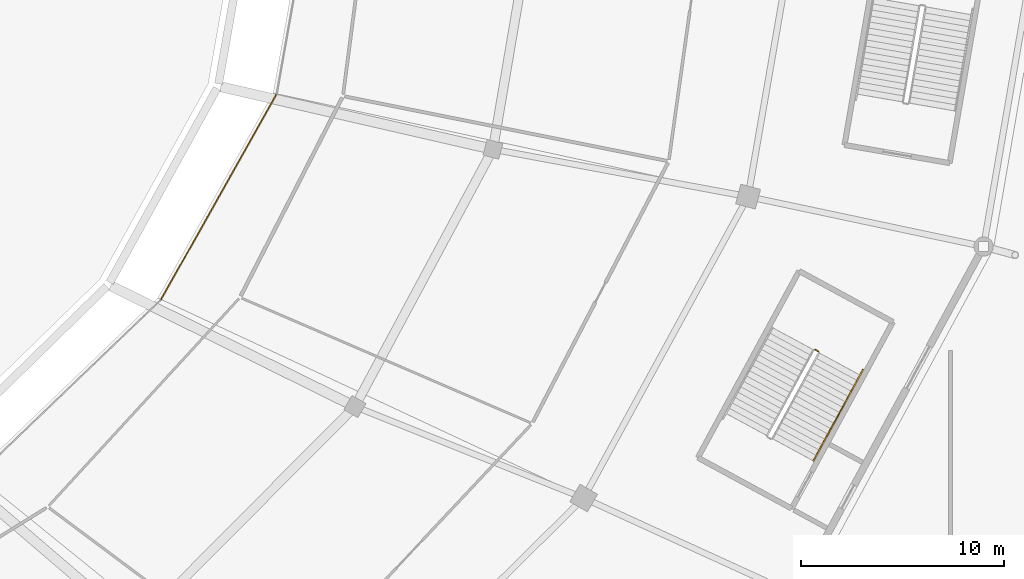
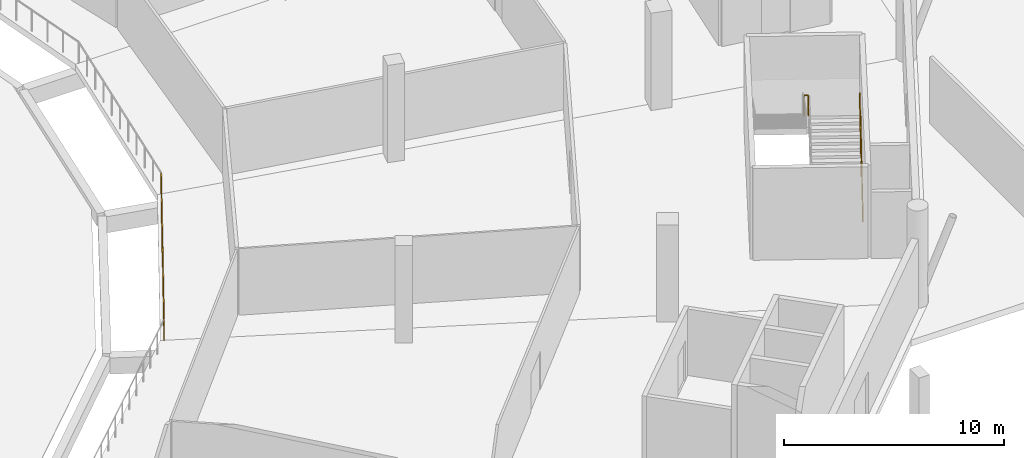
# One storey, part 73 of 82: 3 railings.
"""IFC4 building model written with IfcOpenShell, lengths in metres."""

from ifc_helpers import new_model, si_unit, direction, frame, origin, origin_2d, place, context, subcontext, project, spatial, rectangle, extrude, material, type_object, element, save


model = new_model("IFC4")

# Units and contexts
model_context = context("Model", 3, precision=1e-05, world=origin(), true_north=direction((0.0, 1.0)))
body_context = subcontext(model_context, "Body", "Model", "MODEL_VIEW")
ifc_project = project(units=[si_unit("LENGTHUNIT", "METRE"), si_unit("AREAUNIT", "SQUARE_METRE"), si_unit("VOLUMEUNIT", "CUBIC_METRE"), si_unit("PLANEANGLEUNIT", "RADIAN"), si_unit("MASSUNIT", "GRAM", prefix="KILO")], contexts=[model_context])

# Site, building, storey
site_placement = place(None, origin())
site = spatial("IfcSite", under=ifc_project, at=site_placement, CompositionType="ELEMENT")
building_placement = place(site_placement, origin())
building = spatial("IfcBuilding", under=site, at=building_placement, Name="Zlatoyarsky Gate Stadium", CompositionType="ELEMENT")
storey_placement = place(building_placement, origin())
storey = spatial("IfcBuildingStorey", under=building, at=storey_placement, Name="L00", CompositionType="ELEMENT", Elevation=0.0)

# Railings
ifc_material_1 = material(Name="Powder-coated steel tubular guardrail", Category="steel")
railing_type_1 = type_object("IfcRailingType", Name="CONCOURSE SLAB EDGE GUARDRAIL 1200", PredefinedType="GUARDRAIL", material=ifc_material_1)
railing_1_placement = place(storey_placement, frame((160.34619140625, 59.010009765625, 0.0)))
element("IfcRailing", 1, at=railing_1_placement, inside=storey, type_object=railing_type_1, Name="L00 inner bowl edge guardrail 22", PredefinedType="GUARDRAIL", context=body_context, shape_type="SweptSolid", body=[
    extrude(rectangle(XDim=0.048095703125, YDim=0.048095703125, at=origin_2d()), frame((0.0, 0.0, 1.17578125), z_axis=(0.490078606965, 0.871678242814, 0.0), x_axis=(-0.871678242814, 0.490078606965, 0.0)), (0.0, 0.0, 1.0), 11.615234375),
    extrude(rectangle(XDim=0.0419921875, YDim=0.0419921875, at=origin_2d()), origin(), (0.0, 0.0, 1.0), 1.15185546875),
    extrude(rectangle(XDim=0.0419921875, YDim=0.0419921875, at=origin_2d()), frame((0.5693359375, 1.012451171875, 0.0)), (0.0, 0.0, 1.0), 1.15185546875),
    extrude(rectangle(XDim=0.0419921875, YDim=0.0419921875, at=origin_2d()), frame((1.138427734375, 2.02490234375, 0.0)), (0.0, 0.0, 1.0), 1.15185546875),
    extrude(rectangle(XDim=0.0419921875, YDim=0.0419921875, at=origin_2d()), frame((1.707763671875, 3.037353515625, 0.0)), (0.0, 0.0, 1.0), 1.15185546875),
    extrude(rectangle(XDim=0.0419921875, YDim=0.0419921875, at=origin_2d()), frame((2.27685546875, 4.0498046875, 0.0)), (0.0, 0.0, 1.0), 1.15185546875),
    extrude(rectangle(XDim=0.0419921875, YDim=0.0419921875, at=origin_2d()), frame((2.84619140625, 5.0625, 0.0)), (0.0, 0.0, 1.0), 1.15185546875),
    extrude(rectangle(XDim=0.0419921875, YDim=0.0419921875, at=origin_2d()), frame((3.41552734375, 6.074951171875, 0.0)), (0.0, 0.0, 1.0), 1.15185546875),
    extrude(rectangle(XDim=0.0419921875, YDim=0.0419921875, at=origin_2d()), frame((3.984619140625, 7.08740234375, 0.0)), (0.0, 0.0, 1.0), 1.15185546875),
    extrude(rectangle(XDim=0.0419921875, YDim=0.0419921875, at=origin_2d()), frame((4.553955078125, 8.099853515625, 0.0)), (0.0, 0.0, 1.0), 1.15185546875),
    extrude(rectangle(XDim=0.0419921875, YDim=0.0419921875, at=origin_2d()), frame((5.123046875, 9.1123046875, 0.0)), (0.0, 0.0, 1.0), 1.15185546875),
    extrude(rectangle(XDim=0.0419921875, YDim=0.0419921875, at=origin_2d()), frame((5.6923828125, 10.124755859375, 0.0)), (0.0, 0.0, 1.0), 1.15185546875),
])
ifc_material_2 = material(Name="Powder-coated steel stair guardrail", Category="steel")
railing_type_2 = type_object("IfcRailingType", Name="PAINTED STEEL STAIR WELL GUARDRAIL 1150", PredefinedType="GUARDRAIL", material=ifc_material_2)
railing_2_placement = place(storey_placement, frame((192.706298828125, 56.461669921875, 2.699951171875)))
element("IfcRailing", 2, at=railing_2_placement, inside=storey, type_object=railing_type_2, Name="ST-12 L00 stair guard 2", PredefinedType="GUARDRAIL", context=body_context, shape_type="SweptSolid", body=[
    extrude(rectangle(XDim=0.048095703125, YDim=0.048095703125, at=origin_2d()), frame((0.0, 0.0, 1.1259765625), z_axis=(-0.878780312785, 0.477226530971, 0.0), x_axis=(-0.477226530971, -0.878780312785, 0.0)), (0.0, 0.0, 1.0), 0.199951171875),
    extrude(rectangle(XDim=0.0419921875, YDim=0.0419921875, at=origin_2d()), origin(), (0.0, 0.0, 1.0), 1.101806640625),
    extrude(rectangle(XDim=0.0419921875, YDim=0.0419921875, at=origin_2d()), frame((-0.17578125, 0.095458984375, 0.0)), (0.0, 0.0, 1.0), 1.101806640625),
])
ifc_material_3 = material(Name="Brushed stainless steel 316 handrail", Category="steel")
railing_type_3 = type_object("IfcRailingType", Name="STAINLESS STEEL TUBULAR HANDRAIL 900", PredefinedType="HANDRAIL", material=ifc_material_3)
railing_3_placement = place(storey_placement, frame((192.458984375, 51.078125, 0.162841796875)))
element("IfcRailing", 3, at=railing_3_placement, inside=storey, type_object=railing_type_3, Name="ST-12 L00 stair handrail 1", PredefinedType="HANDRAIL", context=body_context, shape_type="SweptSolid", body=[
    extrude(rectangle(XDim=0.048095703125, YDim=0.048095703125, at=origin_2d()), frame((0.0, 0.0, 0.8759765625), z_axis=(0.421472414376, 0.776817406179, 0.467884303411), x_axis=(-0.878961798155, 0.476892186331, 0.0)), (0.0, 0.0, 1.0), 5.7705078125),
    extrude(rectangle(XDim=0.0419921875, YDim=0.0419921875, at=origin_2d()), origin(), (0.0, 0.0, 1.0), 0.851806640625),
    extrude(rectangle(XDim=0.0419921875, YDim=0.0419921875, at=origin_2d()), frame((0.486328125, 0.896484375, 0.5400390625)), (0.0, 0.0, 1.0), 0.851806640625),
    extrude(rectangle(XDim=0.0419921875, YDim=0.0419921875, at=origin_2d()), frame((0.972900390625, 1.79296875, 1.080078125)), (0.0, 0.0, 1.0), 0.851806640625),
    extrude(rectangle(XDim=0.0419921875, YDim=0.0419921875, at=origin_2d()), frame((1.459228515625, 2.689697265625, 1.619873046875)), (0.0, 0.0, 1.0), 0.851806640625),
    extrude(rectangle(XDim=0.0419921875, YDim=0.0419921875, at=origin_2d()), frame((1.94580078125, 3.586181640625, 2.159912109375)), (0.0, 0.0, 1.0), 0.851806640625),
    extrude(rectangle(XDim=0.0419921875, YDim=0.0419921875, at=origin_2d()), frame((2.43212890625, 4.482666015625, 2.699951171875)), (0.0, 0.0, 1.0), 0.851806640625),
])

save(model, "model.ifc")
